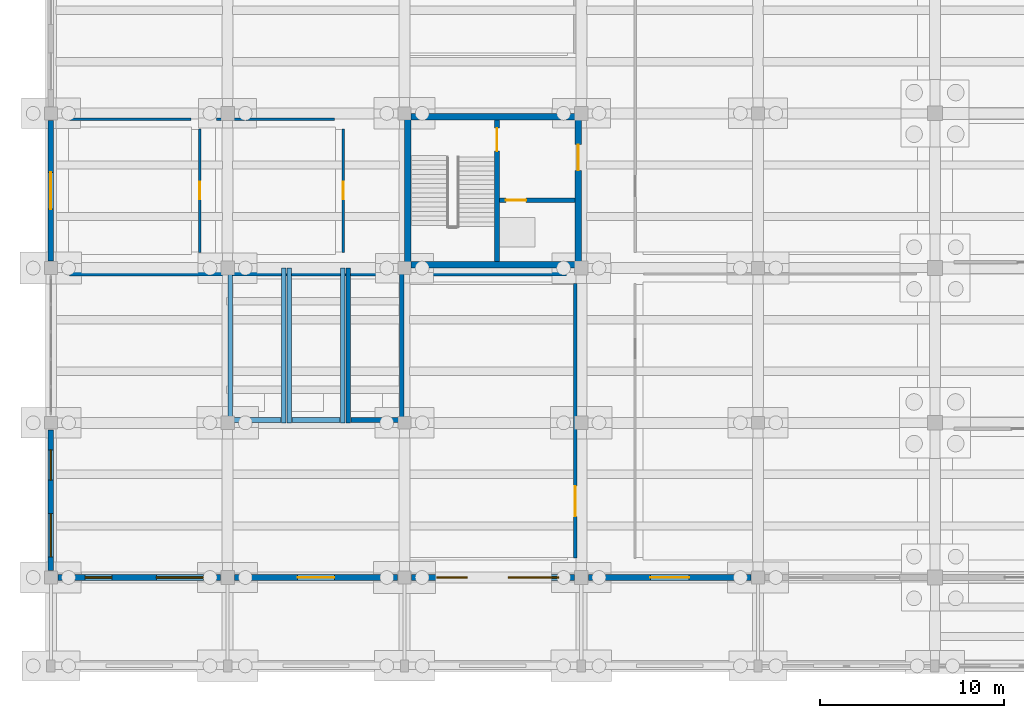
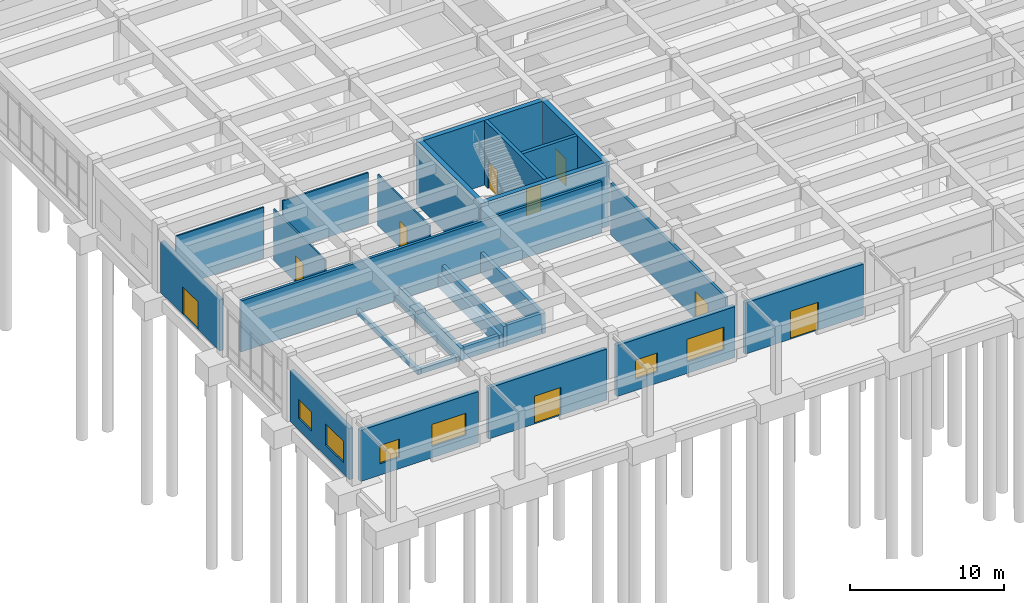
# One storey, part 75 of 102: 27 walls, 9 doors, 6 windows, 15 openings.
"""IFC4 building model written with IfcOpenShell, lengths in metres."""

from ifc_helpers import new_model, si_unit, direction, frame, frame_2d, origin, place, context, subcontext, project, spatial, rectangle, extrude, material, layer, layer_set, type_object, element, fill, save


model = new_model("IFC4")

# Units and contexts
model_context = context("Model", 3, precision=1e-05, world=origin(), true_north=direction((0.0, 1.0)))
body_context = subcontext(model_context, "Body", "Model", "MODEL_VIEW")
ifc_project = project(units=[si_unit("LENGTHUNIT", "METRE"), si_unit("AREAUNIT", "SQUARE_METRE"), si_unit("VOLUMEUNIT", "CUBIC_METRE"), si_unit("PLANEANGLEUNIT", "RADIAN"), si_unit("MASSUNIT", "GRAM", prefix="KILO")], contexts=[model_context])

# Site, building, storey
site_placement = place(None, origin())
site = spatial("IfcSite", under=ifc_project, at=site_placement, CompositionType="ELEMENT")
building_placement = place(site_placement, origin())
building = spatial("IfcBuilding", under=site, at=building_placement, Name="Kolvemor Railside Polytechnic", CompositionType="ELEMENT")
storey_placement = place(building_placement, origin())
storey = spatial("IfcBuildingStorey", under=building, at=storey_placement, Name="L00", CompositionType="ELEMENT", Elevation=0.0)

# Walls
ifc_material_1 = material(Name="Concrete C40/50", Category="concrete")
ifc_layer_1 = layer(ifc_material_1, 0.35009765625, Name="WL-CORE-350")
ifc_layer_set_1 = layer_set([ifc_layer_1], Name="Concrete C40/50")
wall_type_1 = type_object("IfcWallType", Name="WL-CORE-350", PredefinedType="SHEAR", material=ifc_layer_set_1)
for number, where, z_axis, x_axis, name in (
    (1, (19.199951171875, 29.824951171875, 0.0), (0.0, 0.0, 1.0), (1.0, 0.0, 0.0), "CORE-4 North Core Wall L00"),
    (2, (19.199951171875, 21.77490234375, 0.0), (0.0, 0.0, 1.0), (1.0, 0.0, 0.0), "CORE-4 South Core Wall L00"),
):
    element("IfcWall", number, at=place(storey_placement, frame(where, z_axis=z_axis, x_axis=x_axis)), inside=storey, type_object=wall_type_1, Name=name, PredefinedType="SHEAR", context=body_context, shape_type="SweptSolid", body=[
        extrude(rectangle(XDim=9.60009765625, YDim=0.35009765625, at=frame_2d((4.800048828125, 0.0))), origin(), (0.0, 0.0, 1.0), 5.110107421875),
    ])
wall_1_placement = place(storey_placement, frame((19.375, 21.60009765625, 0.0), z_axis=(0.0, 0.0, 1.0), x_axis=(0.0, 1.0, 0.0)))
element("IfcWall", 3, at=wall_1_placement, inside=storey, type_object=wall_type_1, Name="CORE-4 West Core Wall L00", PredefinedType="SHEAR", context=body_context, shape_type="SweptSolid", body=[
    extrude(rectangle(XDim=8.39990234375, YDim=0.35009765625, at=frame_2d((4.199951171875, 0.0))), origin(), (0.0, 0.0, 1.0), 5.110107421875),
])

# Wall, opening, door
wall_2_placement = place(storey_placement, frame((28.625, 21.60009765625, 0.0), z_axis=(0.0, 0.0, 1.0), x_axis=(0.0, 1.0, 0.0)))
wall_2 = element("IfcWall", 4, at=wall_2_placement, inside=storey, type_object=wall_type_1, Name="CORE-4 East Core Wall L00", PredefinedType="SHEAR", context=body_context, shape_type="SweptSolid", body=[
    extrude(rectangle(XDim=8.39990234375, YDim=0.35009765625, at=frame_2d((4.199951171875, 0.0))), origin(), (0.0, 0.0, 1.0), 5.110107421875),
])
opening_1_placement = place(wall_2_placement, frame((5.300048828125, 0.0, 0.0)))
opening_1 = element("IfcOpeningElement", 5, at=opening_1_placement, cuts=wall_2, Name="Opening D-LOB-4-L00", PredefinedType="OPENING", context=body_context, shape_type="SweptSolid", body=[
    extrude(rectangle(XDim=1.39990234375, YDim=2.14990234375, at=frame_2d((0.699951171875, 1.074951171875))), frame((0.0, 0.18505859375, 0.0), z_axis=(0.0, -1.0, 0.0), x_axis=(1.0, 0.0, 0.0)), (0.0, 0.0, 1.0), 0.3701171875),
])
ifc_material_2 = material(Name="Fire-rated hardwood and brushed stainless-steel door", Category="steel")
door_type_1 = type_object("IfcDoorType", Name="DR-FD60-140x215", OperationType="NOTDEFINED", PredefinedType="DOOR", material=ifc_material_2)
door_1_placement = place(opening_1_placement, origin())
door_1 = element("IfcDoor", 6, at=door_1_placement, inside=storey, type_object=door_type_1, Name="Core Lobby Fire Door CORE-4 L00", OperationType="SINGLE_SWING_RIGHT", OverallHeight=2.14990234375, OverallWidth=1.39990234375, PredefinedType="DOOR", context=body_context, shape_type="SweptSolid", body=[
    extrude(rectangle(XDim=1.39990234375, YDim=2.14990234375, at=frame_2d((0.699951171875, 1.074951171875))), frame((0.0, 0.02490234375, 0.0), z_axis=(0.0, -1.0, 0.0), x_axis=(1.0, 0.0, 0.0)), (0.0, 0.0, 1.0), 0.050048828125),
])
fill(opening_1, door_1)

# Wall, openings, windows
ifc_material_3 = material(Name="Precast concrete C40/50", Category="concrete")
ifc_layer_2 = layer(ifc_material_3, 0.284912109375, Name="WL-EXT-RC-285")
ifc_layer_set_2 = layer_set([ifc_layer_2], Name="Precast concrete C40/50")
wall_type_2 = type_object("IfcWallType", Name="WL-EXT-RC-285", PredefinedType="SOLIDWALL", material=ifc_layer_set_2)
wall_3_placement = place(storey_placement, frame((0.0, 12.820068359375, 0.0), z_axis=(0.0, 0.0, 1.0), x_axis=(0.0, -1.0, 0.0)))
wall_3 = element("IfcWall", 7, at=wall_3_placement, inside=storey, type_object=wall_type_2, Name="Exterior Wall L00-0042", PredefinedType="SOLIDWALL", context=body_context, shape_type="SweptSolid", body=[
    extrude(rectangle(XDim=7.64013671875, YDim=0.284912109375, at=frame_2d((3.820068359375, 0.0))), origin(), (0.0, 0.0, 1.0), 4.0400390625),
])
opening_2_placement = place(wall_3_placement, frame((1.0849609375, 0.0, 0.89990234375)))
opening_2 = element("IfcOpeningElement", 8, at=opening_2_placement, cuts=wall_3, Name="Opening WN-M04", PredefinedType="OPENING", context=body_context, shape_type="SweptSolid", body=[
    extrude(rectangle(XDim=1.64990234375, YDim=1.5, at=frame_2d((0.824951171875, 0.75))), frame((0.0, 0.15234375, 0.0), z_axis=(0.0, -1.0, 0.0), x_axis=(1.0, 0.0, 0.0)), (0.0, 0.0, 1.0), 0.304931640625),
])
opening_3_placement = place(wall_3_placement, frame((4.554931640625, 0.0, 0.89990234375)))
opening_3 = element("IfcOpeningElement", 9, at=opening_3_placement, cuts=wall_3, Name="Opening WN-M11", PredefinedType="OPENING", context=body_context, shape_type="SweptSolid", body=[
    extrude(rectangle(XDim=2.35009765625, YDim=1.699951171875, at=frame_2d((1.175048828125, 0.85009765625))), frame((0.0, 0.15234375, 0.0), z_axis=(0.0, -1.0, 0.0), x_axis=(1.0, 0.0, 0.0)), (0.0, 0.0, 1.0), 0.304931640625),
])
ifc_material_4 = material(Name="Hurricane-laminated thermally broken aluminium window", Category="aluminium")
window_type_1 = type_object("IfcWindowType", Name="WN-MOD-165x150", PartitioningType="SINGLE_PANEL", PredefinedType="WINDOW", material=ifc_material_4)
window_1_placement = place(opening_2_placement, origin())
window_1 = element("IfcWindow", 10, at=window_1_placement, inside=storey, type_object=window_type_1, Name="Window L00-0037", OverallHeight=1.5, OverallWidth=1.64990234375, PartitioningType="SINGLE_PANEL", PredefinedType="WINDOW", context=body_context, shape_type="SweptSolid", body=[
    extrude(rectangle(XDim=1.64990234375, YDim=1.5, at=frame_2d((0.824951171875, 0.75))), frame((0.0, 0.030029296875, 0.0), z_axis=(0.0, -1.0, 0.0), x_axis=(1.0, 0.0, 0.0)), (0.0, 0.0, 1.0), 0.06005859375),
])
fill(opening_2, window_1)
ifc_material_5 = material(Name="Hurricane-laminated thermally broken aluminium window", Category="aluminium")
window_type_2 = type_object("IfcWindowType", Name="WN-MOD-235x170", PartitioningType="DOUBLE_PANEL_VERTICAL", PredefinedType="WINDOW", material=ifc_material_5)
window_2_placement = place(opening_3_placement, origin())
window_2 = element("IfcWindow", 11, at=window_2_placement, inside=storey, type_object=window_type_2, Name="Window L00-0038", OverallHeight=1.699951171875, OverallWidth=2.35009765625, PartitioningType="SINGLE_PANEL", PredefinedType="WINDOW", context=body_context, shape_type="SweptSolid", body=[
    extrude(rectangle(XDim=2.35009765625, YDim=1.699951171875, at=frame_2d((1.175048828125, 0.85009765625))), frame((0.0, 0.030029296875, 0.0), z_axis=(0.0, -1.0, 0.0), x_axis=(1.0, 0.0, 0.0)), (0.0, 0.0, 1.0), 0.06005859375),
])
fill(opening_3, window_2)

# Wall, opening, door
wall_4_placement = place(storey_placement, frame((0.0, 29.6201171875, 0.0), z_axis=(0.0, 0.0, 1.0), x_axis=(0.0, -1.0, 0.0)))
wall_4 = element("IfcWall", 12, at=wall_4_placement, inside=storey, type_object=wall_type_2, Name="Exterior Wall L00-0051", PredefinedType="SOLIDWALL", context=body_context, shape_type="SweptSolid", body=[
    extrude(rectangle(XDim=7.64013671875, YDim=0.284912109375, at=frame_2d((3.820068359375, 0.0))), origin(), (0.0, 0.0, 1.0), 4.0400390625),
])
opening_4_placement = place(wall_4_placement, frame((2.820068359375, 0.0, 0.0)))
opening_4 = element("IfcOpeningElement", 13, at=opening_4_placement, cuts=wall_4, Name="Opening EX-05", PredefinedType="OPENING", context=body_context, shape_type="SweptSolid", body=[
    extrude(rectangle(XDim=2.0, YDim=2.199951171875, at=frame_2d((1.0, 1.10009765625))), frame((0.0, 0.15234375, 0.0), z_axis=(0.0, -1.0, 0.0), x_axis=(1.0, 0.0, 0.0)), (0.0, 0.0, 1.0), 0.304931640625),
])
ifc_material_6 = material(Name="Marine-grade thermally broken aluminium and laminated glass door", Category="aluminium")
door_type_2 = type_object("IfcDoorType", Name="DR-EXIT-200x220", OperationType="NOTDEFINED", PredefinedType="DOOR", material=ifc_material_6)
door_2_placement = place(opening_4_placement, origin())
door_2 = element("IfcDoor", 14, at=door_2_placement, inside=storey, type_object=door_type_2, Name="Exterior Door EX-05", OperationType="SINGLE_SWING_LEFT", OverallHeight=2.199951171875, OverallWidth=2.0, PredefinedType="DOOR", context=body_context, shape_type="SweptSolid", body=[
    extrude(rectangle(XDim=2.0, YDim=2.199951171875, at=frame_2d((1.0, 1.10009765625))), frame((0.0, 0.02490234375, 0.0), z_axis=(0.0, -1.0, 0.0), x_axis=(1.0, 0.0, 0.0)), (0.0, 0.0, 1.0), 0.050048828125),
])
fill(opening_4, door_2)

# Wall, openings, windows
ifc_material_7 = material(Name="Concrete C40/50", Category="concrete")
ifc_layer_3 = layer(ifc_material_7, 0.300048828125, Name="WL-EXT-RC-300")
ifc_layer_set_3 = layer_set([ifc_layer_3], Name="Concrete C40/50")
wall_type_3 = type_object("IfcWallType", Name="WL-EXT-RC-300", PredefinedType="SOLIDWALL", material=ifc_layer_set_3)
wall_5_placement = place(storey_placement, frame((0.3798828125, 4.800048828125, 0.0), z_axis=(0.0, 0.0, 1.0), x_axis=(1.0, 0.0, 0.0)))
wall_5 = element("IfcWall", 15, at=wall_5_placement, inside=storey, type_object=wall_type_3, Name="Exterior Wall L00-0086", PredefinedType="SOLIDWALL", context=body_context, shape_type="SweptSolid", body=[
    extrude(rectangle(XDim=8.840087890625, YDim=0.300048828125, at=frame_2d((4.419921875, 0.0))), origin(), (0.0, 0.0, 1.0), 4.0400390625),
])
opening_5_placement = place(wall_5_placement, frame((1.485107421875, 0.0, 0.89990234375)))
opening_5 = element("IfcOpeningElement", 16, at=opening_5_placement, cuts=wall_5, Name="Opening WN-M02", PredefinedType="OPENING", context=body_context, shape_type="SweptSolid", body=[
    extrude(rectangle(XDim=1.449951171875, YDim=1.449951171875, at=frame_2d((0.72509765625, 0.72509765625))), frame((0.0, 0.159912109375, 0.0), z_axis=(0.0, -1.0, 0.0), x_axis=(1.0, 0.0, 0.0)), (0.0, 0.0, 1.0), 0.320068359375),
])
opening_6_placement = place(wall_5_placement, frame((5.35498046875, 0.0, 0.89990234375)))
opening_6 = element("IfcOpeningElement", 17, at=opening_6_placement, cuts=wall_5, Name="Opening WN-M13", PredefinedType="OPENING", context=body_context, shape_type="SweptSolid", body=[
    extrude(rectangle(XDim=2.550048828125, YDim=1.75, at=frame_2d((1.27490234375, 0.875))), frame((0.0, 0.159912109375, 0.0), z_axis=(0.0, -1.0, 0.0), x_axis=(1.0, 0.0, 0.0)), (0.0, 0.0, 1.0), 0.320068359375),
])
ifc_material_8 = material(Name="Hurricane-laminated thermally broken aluminium window", Category="aluminium")
window_type_3 = type_object("IfcWindowType", Name="WN-MOD-145x145", PartitioningType="SINGLE_PANEL", PredefinedType="WINDOW", material=ifc_material_8)
window_3_placement = place(opening_5_placement, origin())
window_3 = element("IfcWindow", 18, at=window_3_placement, inside=storey, type_object=window_type_3, Name="Window L00-0090", OverallHeight=1.449951171875, OverallWidth=1.449951171875, PartitioningType="SINGLE_PANEL", PredefinedType="WINDOW", context=body_context, shape_type="SweptSolid", body=[
    extrude(rectangle(XDim=1.449951171875, YDim=1.449951171875, at=frame_2d((0.72509765625, 0.72509765625))), frame((0.0, 0.030029296875, 0.0), z_axis=(0.0, -1.0, 0.0), x_axis=(1.0, 0.0, 0.0)), (0.0, 0.0, 1.0), 0.06005859375),
])
fill(opening_5, window_3)
ifc_material_9 = material(Name="Hurricane-laminated thermally broken aluminium window", Category="aluminium")
window_type_4 = type_object("IfcWindowType", Name="WN-MOD-255x175", PartitioningType="DOUBLE_PANEL_VERTICAL", PredefinedType="WINDOW", material=ifc_material_9)
window_4_placement = place(opening_6_placement, origin())
window_4 = element("IfcWindow", 19, at=window_4_placement, inside=storey, type_object=window_type_4, Name="Window L00-0091", OverallHeight=1.75, OverallWidth=2.550048828125, PartitioningType="SINGLE_PANEL", PredefinedType="WINDOW", context=body_context, shape_type="SweptSolid", body=[
    extrude(rectangle(XDim=2.550048828125, YDim=1.75, at=frame_2d((1.27490234375, 0.875))), frame((0.0, 0.030029296875, 0.0), z_axis=(0.0, -1.0, 0.0), x_axis=(1.0, 0.0, 0.0)), (0.0, 0.0, 1.0), 0.06005859375),
])
fill(opening_6, window_4)

# Wall, opening, door
wall_6_placement = place(storey_placement, frame((9.97998046875, 4.800048828125, 0.0), z_axis=(0.0, 0.0, 1.0), x_axis=(1.0, 0.0, 0.0)))
wall_6 = element("IfcWall", 20, at=wall_6_placement, inside=storey, type_object=wall_type_3, Name="Exterior Wall L00-0087", PredefinedType="SOLIDWALL", context=body_context, shape_type="SweptSolid", body=[
    extrude(rectangle(XDim=8.840087890625, YDim=0.300048828125, at=frame_2d((4.419921875, 0.0))), origin(), (0.0, 0.0, 1.0), 4.0400390625),
])
opening_7_placement = place(wall_6_placement, frame((3.419921875, 0.0, 0.0)))
opening_7 = element("IfcOpeningElement", 21, at=opening_7_placement, cuts=wall_6, Name="Opening EX-09", PredefinedType="OPENING", context=body_context, shape_type="SweptSolid", body=[
    extrude(rectangle(XDim=2.0, YDim=2.199951171875, at=frame_2d((1.0, 1.10009765625))), frame((0.0, 0.159912109375, 0.0), z_axis=(0.0, -1.0, 0.0), x_axis=(1.0, 0.0, 0.0)), (0.0, 0.0, 1.0), 0.320068359375),
])
door_3_placement = place(opening_7_placement, origin())
door_3 = element("IfcDoor", 22, at=door_3_placement, inside=storey, type_object=door_type_2, Name="Exterior Door EX-09", OperationType="SINGLE_SWING_LEFT", OverallHeight=2.199951171875, OverallWidth=2.0, PredefinedType="DOOR", context=body_context, shape_type="SweptSolid", body=[
    extrude(rectangle(XDim=2.0, YDim=2.199951171875, at=frame_2d((1.0, 1.10009765625))), frame((0.0, 0.02490234375, 0.0), z_axis=(0.0, -1.0, 0.0), x_axis=(1.0, 0.0, 0.0)), (0.0, 0.0, 1.0), 0.050048828125),
])
fill(opening_7, door_3)

# Wall, openings, windows
wall_7_placement = place(storey_placement, frame((19.580078125, 4.800048828125, 0.0), z_axis=(0.0, 0.0, 1.0), x_axis=(1.0, 0.0, 0.0)))
wall_7 = element("IfcWall", 23, at=wall_7_placement, inside=storey, type_object=wall_type_3, Name="Exterior Wall L00-0088", PredefinedType="SOLIDWALL", context=body_context, shape_type="SweptSolid", body=[
    extrude(rectangle(XDim=8.83984375, YDim=0.300048828125, at=frame_2d((4.419921875, 0.0))), origin(), (0.0, 0.0, 1.0), 4.0400390625),
])
opening_8_placement = place(wall_7_placement, frame((1.385009765625, 0.0, 0.89990234375)))
opening_8 = element("IfcOpeningElement", 24, at=opening_8_placement, cuts=wall_7, Name="Opening WN-M04", PredefinedType="OPENING", context=body_context, shape_type="SweptSolid", body=[
    extrude(rectangle(XDim=1.64990234375, YDim=1.5, at=frame_2d((0.824951171875, 0.75))), frame((0.0, 0.159912109375, 0.0), z_axis=(0.0, -1.0, 0.0), x_axis=(1.0, 0.0, 0.0)), (0.0, 0.0, 1.0), 0.320068359375),
])
opening_9_placement = place(wall_7_placement, frame((5.2548828125, 0.0, 0.89990234375)))
opening_9 = element("IfcOpeningElement", 25, at=opening_9_placement, cuts=wall_7, Name="Opening WN-M15", PredefinedType="OPENING", context=body_context, shape_type="SweptSolid", body=[
    extrude(rectangle(XDim=2.75, YDim=1.800048828125, at=frame_2d((1.375, 0.89990234375))), frame((0.0, 0.159912109375, 0.0), z_axis=(0.0, -1.0, 0.0), x_axis=(1.0, 0.0, 0.0)), (0.0, 0.0, 1.0), 0.320068359375),
])
window_5_placement = place(opening_8_placement, origin())
window_5 = element("IfcWindow", 26, at=window_5_placement, inside=storey, type_object=window_type_1, Name="Window L00-0092", OverallHeight=1.5, OverallWidth=1.64990234375, PartitioningType="SINGLE_PANEL", PredefinedType="WINDOW", context=body_context, shape_type="SweptSolid", body=[
    extrude(rectangle(XDim=1.64990234375, YDim=1.5, at=frame_2d((0.824951171875, 0.75))), frame((0.0, 0.030029296875, 0.0), z_axis=(0.0, -1.0, 0.0), x_axis=(1.0, 0.0, 0.0)), (0.0, 0.0, 1.0), 0.06005859375),
])
fill(opening_8, window_5)
ifc_material_10 = material(Name="Hurricane-laminated thermally broken aluminium window", Category="aluminium")
window_type_5 = type_object("IfcWindowType", Name="WN-MOD-275x180", PartitioningType="DOUBLE_PANEL_VERTICAL", PredefinedType="WINDOW", material=ifc_material_10)
window_6_placement = place(opening_9_placement, origin())
window_6 = element("IfcWindow", 27, at=window_6_placement, inside=storey, type_object=window_type_5, Name="Window L00-0093", OverallHeight=1.800048828125, OverallWidth=2.75, PartitioningType="SINGLE_PANEL", PredefinedType="WINDOW", context=body_context, shape_type="SweptSolid", body=[
    extrude(rectangle(XDim=2.75, YDim=1.800048828125, at=frame_2d((1.375, 0.89990234375))), frame((0.0, 0.030029296875, 0.0), z_axis=(0.0, -1.0, 0.0), x_axis=(1.0, 0.0, 0.0)), (0.0, 0.0, 1.0), 0.06005859375),
])
fill(opening_9, window_6)

# Wall, opening, door
wall_8_placement = place(storey_placement, frame((29.179931640625, 4.800048828125, 0.0), z_axis=(0.0, 0.0, 1.0), x_axis=(1.0, 0.0, 0.0)))
wall_8 = element("IfcWall", 28, at=wall_8_placement, inside=storey, type_object=wall_type_3, Name="Exterior Wall L00-0089", PredefinedType="SOLIDWALL", context=body_context, shape_type="SweptSolid", body=[
    extrude(rectangle(XDim=8.840087890625, YDim=0.300048828125, at=frame_2d((4.419921875, 0.0))), origin(), (0.0, 0.0, 1.0), 4.0400390625),
])
opening_10_placement = place(wall_8_placement, frame((3.3701171875, 0.0, 0.0)))
opening_10 = element("IfcOpeningElement", 29, at=opening_10_placement, cuts=wall_8, Name="Opening EX-10", PredefinedType="OPENING", context=body_context, shape_type="SweptSolid", body=[
    extrude(rectangle(XDim=2.10009765625, YDim=2.199951171875, at=frame_2d((1.050048828125, 1.10009765625))), frame((0.0, 0.159912109375, 0.0), z_axis=(0.0, -1.0, 0.0), x_axis=(1.0, 0.0, 0.0)), (0.0, 0.0, 1.0), 0.320068359375),
])
ifc_material_11 = material(Name="Marine-grade thermally broken aluminium and laminated glass door", Category="aluminium")
door_type_3 = type_object("IfcDoorType", Name="DR-EXIT-210x220", OperationType="NOTDEFINED", PredefinedType="DOOR", material=ifc_material_11)
door_4_placement = place(opening_10_placement, origin())
door_4 = element("IfcDoor", 30, at=door_4_placement, inside=storey, type_object=door_type_3, Name="Exterior Door EX-10", OperationType="SINGLE_SWING_RIGHT", OverallHeight=2.199951171875, OverallWidth=2.10009765625, PredefinedType="DOOR", context=body_context, shape_type="SweptSolid", body=[
    extrude(rectangle(XDim=2.10009765625, YDim=2.199951171875, at=frame_2d((1.050048828125, 1.10009765625))), frame((0.0, 0.02490234375, 0.0), z_axis=(0.0, -1.0, 0.0), x_axis=(1.0, 0.0, 0.0)), (0.0, 0.0, 1.0), 0.050048828125),
])
fill(opening_10, door_4)

ifc_material_12 = material(Name="Wet-area tile-backer partition")
ifc_layer_4 = layer(ifc_material_12, 0.1201171875, Name="WL-PART-120")
ifc_layer_set_4 = layer_set([ifc_layer_4], Name="Wet-area tile-backer partition")
wall_type_4 = type_object("IfcWallType", Name="WL-PART-120", PredefinedType="PARTITIONING", material=ifc_layer_set_4)
wall_9_placement = place(storey_placement, frame((8.080078125, 22.449951171875, 0.0), z_axis=(0.0, 0.0, 1.0), x_axis=(0.0, 1.0, 0.0)))
wall_9 = element("IfcWall", 31, at=wall_9_placement, inside=storey, type_object=wall_type_4, Name="Partition Wall L00-0033", PredefinedType="PARTITIONING", context=body_context, shape_type="SweptSolid", body=[
    extrude(rectangle(XDim=6.699951171875, YDim=0.1201171875, at=frame_2d((3.35009765625, 0.0))), origin(), (0.0, 0.0, 1.0), 4.0400390625),
])
opening_11_placement = place(wall_9_placement, frame((2.875, 0.0, 0.0)))
opening_11 = element("IfcOpeningElement", 32, at=opening_11_placement, cuts=wall_9, Name="Opening D-00020", PredefinedType="OPENING", context=body_context, shape_type="SweptSolid", body=[
    extrude(rectangle(XDim=0.949951171875, YDim=2.10009765625, at=frame_2d((0.47509765625, 1.050048828125))), frame((0.0, 0.070068359375, 0.0), z_axis=(0.0, -1.0, 0.0), x_axis=(1.0, 0.0, 0.0)), (0.0, 0.0, 1.0), 0.14013671875),
])
ifc_material_13 = material(Name="Solid hardwood acoustic door", Category="wood")
door_type_4 = type_object("IfcDoorType", Name="DR-WC-095x210", OperationType="NOTDEFINED", PredefinedType="DOOR", material=ifc_material_13)
door_5_placement = place(opening_11_placement, origin())
door_5 = element("IfcDoor", 33, at=door_5_placement, inside=storey, type_object=door_type_4, Name="Room Door D-00020 (West Wing Public WC L00)", OperationType="SINGLE_SWING_LEFT", OverallHeight=2.10009765625, OverallWidth=0.949951171875, PredefinedType="DOOR", context=body_context, shape_type="SweptSolid", body=[
    extrude(rectangle(XDim=0.949951171875, YDim=2.10009765625, at=frame_2d((0.47509765625, 1.050048828125))), frame((0.0, 0.02490234375, 0.0), z_axis=(0.0, -1.0, 0.0), x_axis=(1.0, 0.0, 0.0)), (0.0, 0.0, 1.0), 0.050048828125),
])
fill(opening_11, door_5)

# Wall
wall_10_placement = place(storey_placement, frame((1.0, 29.679931640625, 0.0), z_axis=(0.0, 0.0, 1.0), x_axis=(1.0, 0.0, 0.0)))
element("IfcWall", 34, at=wall_10_placement, inside=storey, type_object=wall_type_4, Name="Demising Partition L00-0034", PredefinedType="PARTITIONING", context=body_context, shape_type="SweptSolid", body=[
    extrude(rectangle(XDim=6.60009765625, YDim=0.1201171875, at=frame_2d((3.300048828125, 0.0))), origin(), (0.0, 0.0, 1.0), 4.0400390625),
])

# Wall, opening, door
wall_11_placement = place(storey_placement, frame((15.8798828125, 22.449951171875, 0.0), z_axis=(0.0, 0.0, 1.0), x_axis=(0.0, 1.0, 0.0)))
wall_11 = element("IfcWall", 35, at=wall_11_placement, inside=storey, type_object=wall_type_4, Name="Partition Wall L00-0035", PredefinedType="PARTITIONING", context=body_context, shape_type="SweptSolid", body=[
    extrude(rectangle(XDim=6.699951171875, YDim=0.1201171875, at=frame_2d((3.35009765625, 0.0))), origin(), (0.0, 0.0, 1.0), 4.0400390625),
])
opening_12_placement = place(wall_11_placement, frame((2.875, 0.0, 0.0)))
opening_12 = element("IfcOpeningElement", 36, at=opening_12_placement, cuts=wall_11, Name="Opening D-00021", PredefinedType="OPENING", context=body_context, shape_type="SweptSolid", body=[
    extrude(rectangle(XDim=0.949951171875, YDim=2.10009765625, at=frame_2d((0.47509765625, 1.050048828125))), frame((0.0, 0.070068359375, 0.0), z_axis=(0.0, -1.0, 0.0), x_axis=(1.0, 0.0, 0.0)), (0.0, 0.0, 1.0), 0.14013671875),
])
door_6_placement = place(opening_12_placement, origin())
door_6 = element("IfcDoor", 37, at=door_6_placement, inside=storey, type_object=door_type_4, Name="Room Door D-00021 (West Wing Accessible WC L00)", OperationType="SINGLE_SWING_RIGHT", OverallHeight=2.10009765625, OverallWidth=0.949951171875, PredefinedType="DOOR", context=body_context, shape_type="SweptSolid", body=[
    extrude(rectangle(XDim=0.949951171875, YDim=2.10009765625, at=frame_2d((0.47509765625, 1.050048828125))), frame((0.0, 0.02490234375, 0.0), z_axis=(0.0, -1.0, 0.0), x_axis=(1.0, 0.0, 0.0)), (0.0, 0.0, 1.0), 0.050048828125),
])
fill(opening_12, door_6)

# Wall
wall_12_placement = place(storey_placement, frame((9.0, 29.679931640625, 0.0), z_axis=(0.0, 0.0, 1.0), x_axis=(1.0, 0.0, 0.0)))
element("IfcWall", 38, at=wall_12_placement, inside=storey, type_object=wall_type_4, Name="Demising Partition L00-0036", PredefinedType="PARTITIONING", context=body_context, shape_type="SweptSolid", body=[
    extrude(rectangle(XDim=6.39990234375, YDim=0.1201171875, at=frame_2d((3.199951171875, 0.0))), origin(), (0.0, 0.0, 1.0), 4.0400390625),
])

# Wall, opening, door
ifc_material_14 = material(Name="Acoustic concrete blockwork and gypsum", Category="masonry")
ifc_layer_5 = layer(ifc_material_14, 0.199951171875, Name="WL-PART-200")
ifc_layer_set_5 = layer_set([ifc_layer_5], Name="Acoustic concrete blockwork and gypsum")
wall_type_5 = type_object("IfcWallType", Name="WL-PART-200", PredefinedType="PARTITIONING", material=ifc_layer_set_5)
wall_13_placement = place(storey_placement, frame((28.47998046875, 5.85009765625, 0.0), z_axis=(0.0, 0.0, 1.0), x_axis=(0.0, 1.0, 0.0)))
wall_13 = element("IfcWall", 39, at=wall_13_placement, inside=storey, type_object=wall_type_5, Name="Partition Wall L00-0021", PredefinedType="PARTITIONING", context=body_context, shape_type="SweptSolid", body=[
    extrude(rectangle(XDim=14.89990234375, YDim=0.199951171875, at=frame_2d((7.449951171875, 0.0))), origin(), (0.0, 0.0, 1.0), 4.0400390625),
])
opening_13_placement = place(wall_13_placement, frame((2.26708984375, 0.0, 0.0)))
opening_13 = element("IfcOpeningElement", 40, at=opening_13_placement, cuts=wall_13, Name="Opening D-00014", PredefinedType="OPENING", context=body_context, shape_type="SweptSolid", body=[
    extrude(rectangle(XDim=1.64990234375, YDim=2.14990234375, at=frame_2d((0.824951171875, 1.074951171875))), frame((0.0, 0.10986328125, 0.0), z_axis=(0.0, -1.0, 0.0), x_axis=(1.0, 0.0, 0.0)), (0.0, 0.0, 1.0), 0.219970703125),
])
ifc_material_15 = material(Name="Fire-rated hardwood and brushed stainless-steel door", Category="steel")
door_type_5 = type_object("IfcDoorType", Name="DR-LT-165x215", OperationType="NOTDEFINED", PredefinedType="DOOR", material=ifc_material_15)
door_7_placement = place(opening_13_placement, origin())
door_7 = element("IfcDoor", 41, at=door_7_placement, inside=storey, type_object=door_type_5, Name="Room Door D-00014 (Lecture Theatre LT-1)", OperationType="SINGLE_SWING_LEFT", OverallHeight=2.14990234375, OverallWidth=1.64990234375, PredefinedType="DOOR", context=body_context, shape_type="SweptSolid", body=[
    extrude(rectangle(XDim=1.64990234375, YDim=2.14990234375, at=frame_2d((0.824951171875, 1.074951171875))), frame((0.0, 0.02490234375, 0.0), z_axis=(0.0, -1.0, 0.0), x_axis=(1.0, 0.0, 0.0)), (0.0, 0.0, 1.0), 0.050048828125),
])
fill(opening_13, door_7)

# Wall
wall_14_placement = place(storey_placement, frame((1.0, 21.280029296875, 0.0), z_axis=(0.0, 0.0, 1.0), x_axis=(1.0, 0.0, 0.0)))
element("IfcWall", 42, at=wall_14_placement, inside=storey, type_object=wall_type_5, Name="Demising Partition L00-0022", PredefinedType="PARTITIONING", context=body_context, shape_type="SweptSolid", body=[
    extrude(rectangle(XDim=27.0, YDim=0.199951171875, at=frame_2d((13.5, 0.0))), origin(), (0.0, 0.0, 1.0), 4.0400390625),
])

# Wall, opening, door
ifc_material_16 = material(Name="Concrete C40/50", Category="concrete")
ifc_layer_6 = layer(ifc_material_16, 0.25, Name="WL-SHFT-250")
ifc_layer_set_6 = layer_set([ifc_layer_6], Name="Concrete C40/50")
wall_type_6 = type_object("IfcWallType", Name="WL-SHFT-250", PredefinedType="SHEAR", material=ifc_layer_set_6)
wall_15_placement = place(storey_placement, frame((24.22509765625, 29.64990234375, 0.0), z_axis=(0.0, 0.0, 1.0), x_axis=(0.0, -1.0, 0.0)))
wall_15 = element("IfcWall", 43, at=wall_15_placement, inside=storey, type_object=wall_type_6, Name="CORE-4 Stair-Lobby Divider Wall L00", PredefinedType="SHEAR", context=body_context, shape_type="SweptSolid", body=[
    extrude(rectangle(XDim=7.699951171875, YDim=0.25, at=frame_2d((3.85009765625, 0.0))), origin(), (0.0, 0.0, 1.0), 5.110107421875),
])
opening_14_placement = place(wall_15_placement, frame((0.449951171875, 0.0, 0.0)))
opening_14 = element("IfcOpeningElement", 44, at=opening_14_placement, cuts=wall_15, Name="Opening D-ST-4-L00", PredefinedType="OPENING", context=body_context, shape_type="SweptSolid", body=[
    extrude(rectangle(XDim=1.25, YDim=2.14990234375, at=frame_2d((0.625, 1.074951171875))), frame((0.0, 0.135009765625, 0.0), z_axis=(0.0, -1.0, 0.0), x_axis=(1.0, 0.0, 0.0)), (0.0, 0.0, 1.0), 0.27001953125),
])
ifc_material_17 = material(Name="Fire-rated hardwood and brushed stainless-steel door", Category="steel")
door_type_6 = type_object("IfcDoorType", Name="DR-FD90-125x215", OperationType="NOTDEFINED", PredefinedType="DOOR", material=ifc_material_17)
door_8_placement = place(opening_14_placement, origin())
door_8 = element("IfcDoor", 45, at=door_8_placement, inside=storey, type_object=door_type_6, Name="Stair Fire Door ST-4 L00", OperationType="SINGLE_SWING_LEFT", OverallHeight=2.14990234375, OverallWidth=1.25, PredefinedType="DOOR", context=body_context, shape_type="SweptSolid", body=[
    extrude(rectangle(XDim=1.25, YDim=2.14990234375, at=frame_2d((0.625, 1.074951171875))), frame((0.0, 0.02490234375, 0.0), z_axis=(0.0, -1.0, 0.0), x_axis=(1.0, 0.0, 0.0)), (0.0, 0.0, 1.0), 0.050048828125),
])
fill(opening_14, door_8)

wall_16_placement = place(storey_placement, frame((24.35009765625, 25.27490234375, 0.0), z_axis=(0.0, 0.0, 1.0), x_axis=(1.0, 0.0, 0.0)))
wall_16 = element("IfcWall", 46, at=wall_16_placement, inside=storey, type_object=wall_type_6, Name="CORE-4 Lift Shaft Front Wall L00", PredefinedType="SHEAR", context=body_context, shape_type="SweptSolid", body=[
    extrude(rectangle(XDim=4.099853515625, YDim=0.25, at=frame_2d((2.0498046875, 0.0))), origin(), (0.0, 0.0, 1.0), 5.110107421875),
])
opening_15_placement = place(wall_16_placement, frame((0.35009765625, 0.0, 0.0)))
opening_15 = element("IfcOpeningElement", 47, at=opening_15_placement, cuts=wall_16, Name="Opening LD-PL-3-L00", PredefinedType="OPENING", context=body_context, shape_type="SweptSolid", body=[
    extrude(rectangle(XDim=1.10009765625, YDim=2.14990234375, at=frame_2d((0.550048828125, 1.074951171875))), frame((0.0, 0.135009765625, 0.0), z_axis=(0.0, -1.0, 0.0), x_axis=(1.0, 0.0, 0.0)), (0.0, 0.0, 1.0), 0.27001953125),
])
ifc_material_18 = material(Name="Fire-rated hardwood and brushed stainless-steel door", Category="steel")
door_type_7 = type_object("IfcDoorType", Name="DR-LIFT-110x215", OperationType="SLIDING_TO_LEFT", PredefinedType="DOOR", material=ifc_material_18)
door_9_placement = place(opening_15_placement, origin())
door_9 = element("IfcDoor", 48, at=door_9_placement, inside=storey, type_object=door_type_7, Name="Lift Landing Sliding Door PL-3 L00", OperationType="SLIDING_TO_LEFT", OverallHeight=2.14990234375, OverallWidth=1.10009765625, PredefinedType="DOOR", context=body_context, shape_type="SweptSolid", body=[
    extrude(rectangle(XDim=1.10009765625, YDim=2.14990234375, at=frame_2d((0.550048828125, 1.074951171875))), frame((0.0, 0.02490234375, 0.0), z_axis=(0.0, -1.0, 0.0), x_axis=(1.0, 0.0, 0.0)), (0.0, 0.0, 1.0), 0.050048828125),
])
fill(opening_15, door_9)

# Walls
ifc_material_19 = material(Name="Concrete C40/50", Category="concrete")
ifc_layer_7 = layer(ifc_material_19, 0.25, Name="WL-TIER-RC")
ifc_layer_set_7 = layer_set([ifc_layer_7], Name="Concrete C40/50")
wall_type_7 = type_object("IfcWallType", Name="WL-TIER-RC", PredefinedType="SHEAR", material=ifc_layer_set_7)
for number, where, z_axis, x_axis, name in (
    (49, (9.75, 13.199951171875, 0.0), (0.0, 0.0, 1.0), (0.0, 1.0, 0.0), "Lecture Tier Riser Wall LT1-F1"),
    (50, (12.64990234375, 13.199951171875, 0.0), (0.0, 0.0, 1.0), (0.0, 1.0, 0.0), "Lecture Tier Riser Wall LT1-R1"),
):
    element("IfcWall", number, at=place(storey_placement, frame(where, z_axis=z_axis, x_axis=x_axis)), inside=storey, type_object=wall_type_7, Name=name, PredefinedType="SHEAR", context=body_context, shape_type="SweptSolid", body=[
        extrude(rectangle(XDim=8.400146484375, YDim=0.25, at=frame_2d((4.2001953125, 0.0))), origin(), (0.0, 0.0, 1.0), 0.39990234375),
    ])
wall_17_placement = place(storey_placement, frame((9.89990234375, 13.35009765625, 0.0), z_axis=(0.0, 0.0, 1.0), x_axis=(1.0, 0.0, 0.0)))
element("IfcWall", 51, at=wall_17_placement, inside=storey, type_object=wall_type_7, Name="Lecture Tier Flank Wall LT1-S1", PredefinedType="SHEAR", context=body_context, shape_type="SweptSolid", body=[
    extrude(rectangle(XDim=2.60009765625, YDim=0.25, at=frame_2d((1.300048828125, 0.0))), origin(), (0.0, 0.0, 1.0), 0.39990234375),
])
for number, where, z_axis, x_axis, name in (
    (52, (12.949951171875, 13.199951171875, 0.0), (0.0, 0.0, 1.0), (0.0, 1.0, 0.0), "Lecture Tier Riser Wall LT1-F2"),
    (53, (15.85009765625, 13.199951171875, 0.0), (0.0, 0.0, 1.0), (0.0, 1.0, 0.0), "Lecture Tier Riser Wall LT1-R2"),
):
    element("IfcWall", number, at=place(storey_placement, frame(where, z_axis=z_axis, x_axis=x_axis)), inside=storey, type_object=wall_type_7, Name=name, PredefinedType="SHEAR", context=body_context, shape_type="SweptSolid", body=[
        extrude(rectangle(XDim=8.400146484375, YDim=0.25, at=frame_2d((4.2001953125, 0.0))), origin(), (0.0, 0.0, 1.0), 1.0),
    ])
wall_18_placement = place(storey_placement, frame((13.10009765625, 13.35009765625, 0.0), z_axis=(0.0, 0.0, 1.0), x_axis=(1.0, 0.0, 0.0)))
element("IfcWall", 54, at=wall_18_placement, inside=storey, type_object=wall_type_7, Name="Lecture Tier Flank Wall LT1-S2", PredefinedType="SHEAR", context=body_context, shape_type="SweptSolid", body=[
    extrude(rectangle(XDim=2.599853515625, YDim=0.25, at=frame_2d((1.2998046875, 0.0))), origin(), (0.0, 0.0, 1.0), 1.0),
])
for number, where, z_axis, x_axis, name in (
    (55, (16.14990234375, 13.199951171875, 0.0), (0.0, 0.0, 1.0), (0.0, 1.0, 0.0), "Lecture Tier Riser Wall LT1-F3"),
    (56, (19.050048828125, 13.199951171875, 0.0), (0.0, 0.0, 1.0), (0.0, 1.0, 0.0), "Lecture Tier Riser Wall LT1-R3"),
):
    element("IfcWall", number, at=place(storey_placement, frame(where, z_axis=z_axis, x_axis=x_axis)), inside=storey, type_object=wall_type_7, Name=name, PredefinedType="SHEAR", context=body_context, shape_type="SweptSolid", body=[
        extrude(rectangle(XDim=8.400146484375, YDim=0.25, at=frame_2d((4.2001953125, 0.0))), origin(), (0.0, 0.0, 1.0), 1.60009765625),
    ])
wall_19_placement = place(storey_placement, frame((16.300048828125, 13.35009765625, 0.0), z_axis=(0.0, 0.0, 1.0), x_axis=(1.0, 0.0, 0.0)))
element("IfcWall", 57, at=wall_19_placement, inside=storey, type_object=wall_type_7, Name="Lecture Tier Flank Wall LT1-S3", PredefinedType="SHEAR", context=body_context, shape_type="SweptSolid", body=[
    extrude(rectangle(XDim=2.599853515625, YDim=0.25, at=frame_2d((1.2998046875, 0.0))), origin(), (0.0, 0.0, 1.0), 1.60009765625),
])

save(model, "model.ifc")
